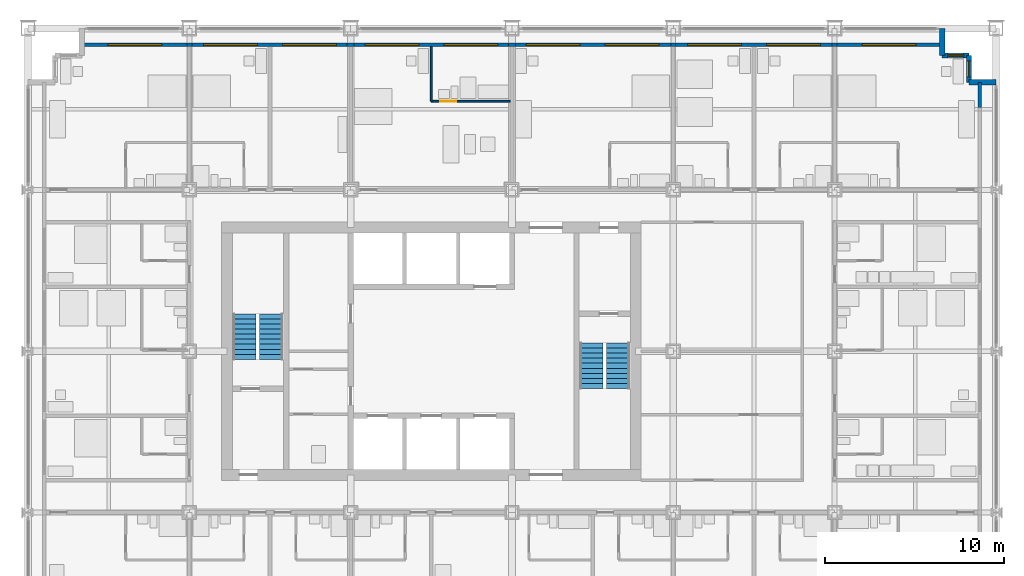
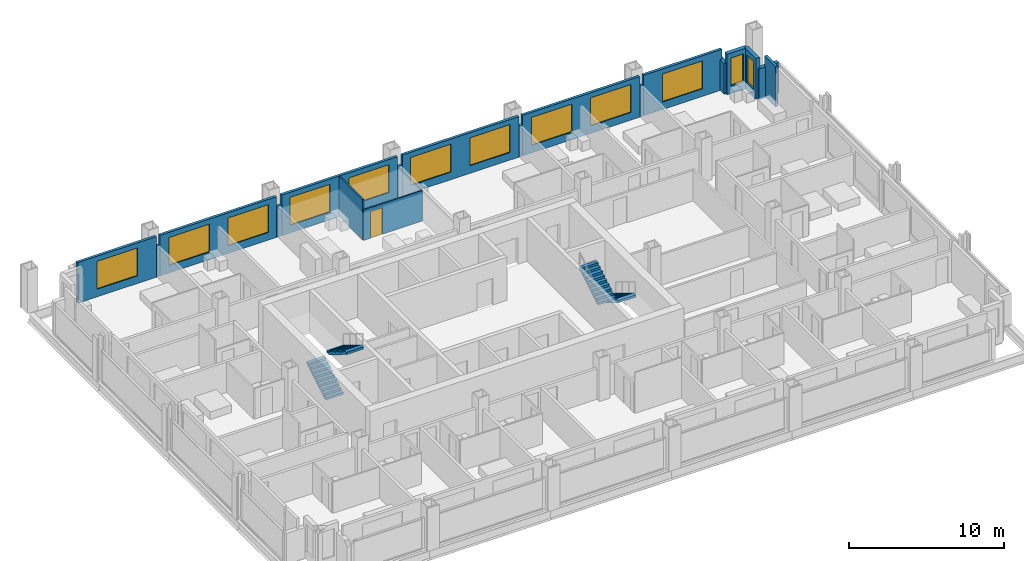
# One storey, part 15 of 18: 18 walls, 12 windows, 4 stair flights, 1 door, 13 openings, 2 elements without a shape of their own.
"""IFC4 building model written with IfcOpenShell, lengths in metres."""

import ifcopenshell
import ifcopenshell.guid

model = None  # the IFC model being written
_history = None  # IfcOwnerHistory: only IFC2X3 demands one
_inside = {}  # id of a spatial element -> (the spatial element, [elements in it])
_under = {}  # id of a project, library or spatial element -> (it, [spatial elements below it])
_declared = {}  # id of a project -> (the project, [libraries it declares])
_typed = {}  # id of a type object -> (the type object, [elements of that type])
_made_of = {}  # id of a material, layer set ... -> (it, [elements and type objects made of it])


def new_model(schema):
    """Start an empty IFC model of exactly this schema.

    Asked for "IFC4X3", IfcOpenShell would pick the latest addendum, in which some entities
    have other attributes; the version numbers below select the first issue.
    IFC2X3 requires an IfcOwnerHistory on every rooted entity: one is made here for all.
    """
    global model, _history
    if schema == "IFC4X3":
        model = ifcopenshell.file(schema_version=(4, 3, 0, 0))
    else:
        model = ifcopenshell.file(schema=schema)
    _inside.clear()
    _under.clear()
    _declared.clear()
    _typed.clear()
    _made_of.clear()
    _history = None
    if model.schema == "IFC2X3":
        org = make("IfcOrganization", Name="unknown")
        user = make(
            "IfcPersonAndOrganization",
            ThePerson=make("IfcPerson", FamilyName="unknown"),
            TheOrganization=org,
        )
        app = make(
            "IfcApplication",
            ApplicationDeveloper=org,
            Version="unknown",
            ApplicationFullName="unknown",
            ApplicationIdentifier="unknown",
        )
        _history = make(
            "IfcOwnerHistory",
            OwningUser=user,
            OwningApplication=app,
            ChangeAction="ADDED",
            CreationDate=0,
        )
    return model


def make(cls, **values):
    """One entity of the class cls with the attributes given. An attribute that is None is left unset."""
    return model.create_entity(
        cls, **{name: value for name, value in values.items() if value is not None}
    )


def rooted(cls, **values):
    """An entity with a GlobalId (a new one), such as an element, a storey or a relation."""
    return make(cls, GlobalId=ifcopenshell.guid.new(), OwnerHistory=_history, **values)


def si_unit(unit_type, name, prefix=None):
    """IfcSIUnit, for example si_unit("LENGTHUNIT", "METRE", prefix="MILLI")."""
    return make("IfcSIUnit", UnitType=unit_type, Prefix=prefix, Name=name)


def assignment(units):
    """IfcUnitAssignment: the units of a project."""
    return None if units is None else make("IfcUnitAssignment", Units=units)


def point(xyz):
    """IfcCartesianPoint."""
    return None if xyz is None else make("IfcCartesianPoint", Coordinates=xyz)


def direction(xyz):
    """IfcDirection."""
    return None if xyz is None else make("IfcDirection", DirectionRatios=xyz)


def frame(location, z_axis=None, x_axis=None):
    """IfcAxis2Placement3D, a coordinate frame: its origin and axes. An axis left out is left unset."""
    return make(
        "IfcAxis2Placement3D",
        Location=point(location),
        Axis=direction(z_axis),
        RefDirection=direction(x_axis),
    )


def frame_2d(location, x_axis=None):
    """IfcAxis2Placement2D, a coordinate frame in the plane: its origin and x axis."""
    return make(
        "IfcAxis2Placement2D", Location=point(location), RefDirection=direction(x_axis)
    )


def origin():
    """The frame at (0, 0, 0) with its axes left unset."""
    return frame((0.0, 0.0, 0.0))


def place(relative_to, where):
    """IfcLocalPlacement: puts the frame where relative to a parent placement (None: the world)."""
    return make(
        "IfcLocalPlacement", PlacementRelTo=relative_to, RelativePlacement=where
    )


def context(
    kind, dimensions, precision=None, world=None, true_north=None, identifier=None
):
    """IfcGeometricRepresentationContext, for example the 3D "Model" context."""
    return make(
        "IfcGeometricRepresentationContext",
        ContextIdentifier=identifier,
        ContextType=kind,
        CoordinateSpaceDimension=dimensions,
        Precision=precision,
        WorldCoordinateSystem=world,
        TrueNorth=true_north,
    )


def subcontext(parent, identifier, kind, view, scale=None):
    """IfcGeometricRepresentationSubContext, for example "Body" below "Model"."""
    return make(
        "IfcGeometricRepresentationSubContext",
        ContextIdentifier=identifier,
        ContextType=kind,
        ParentContext=parent,
        TargetScale=scale,
        TargetView=view,
    )


def project(units=None, contexts=None):
    """IfcProject with its units and contexts."""
    return rooted(
        "IfcProject",
        Name="project",
        RepresentationContexts=contexts,
        UnitsInContext=assignment(units),
    )


def spatial(cls, under=None, at=None, **own):
    """A site, building, storey or space (cls), placed at a placement, below another one or the project."""
    s = rooted(cls, ObjectPlacement=at, **own)
    if under is not None:
        _under.setdefault(under.id(), (under, []))[1].append(s)
    return s


def polyline(points):
    """IfcPolyline through the points."""
    return make("IfcPolyline", Points=[point(p) for p in points])


def profile(cls, at=None, kind="AREA", **sizes):
    """A parametric profile (cls). Its sizes go by their IFC names, for example OverallWidth=200.0."""
    return make(cls, ProfileType=kind, Position=at, **sizes)


def rectangle(**sizes):
    """IfcRectangleProfileDef."""
    return profile("IfcRectangleProfileDef", **sizes)


def outline(outer, holes=None, kind="AREA"):
    """IfcArbitraryClosedProfileDef: a profile drawn as a closed curve; with holes, ...WithVoids."""
    if holes is None:
        return make("IfcArbitraryClosedProfileDef", ProfileType=kind, OuterCurve=outer)
    return make(
        "IfcArbitraryProfileDefWithVoids",
        ProfileType=kind,
        OuterCurve=outer,
        InnerCurves=holes,
    )


def extrude(swept, where, along, depth):
    """IfcExtrudedAreaSolid: the profile swept, set in the frame where, extruded along a direction by depth."""
    return make(
        "IfcExtrudedAreaSolid",
        SweptArea=swept,
        Position=where,
        ExtrudedDirection=direction(along),
        Depth=depth,
    )


def shape(context_of_items, identifier, shape_type, items):
    """IfcShapeRepresentation: the items that make up one representation, for example the "Body"."""
    return make(
        "IfcShapeRepresentation",
        ContextOfItems=context_of_items,
        RepresentationIdentifier=identifier,
        RepresentationType=shape_type,
        Items=items,
    )


def material(Name=None, Category=None):
    """IfcMaterial."""
    return make("IfcMaterial", Name=Name, Category=Category)


def layer(
    of_material, thickness, ventilated=None, Name=None, Category=None, Priority=None
):
    """IfcMaterialLayer: one layer of a wall or slab, of a material (None: an air gap)."""
    return make(
        "IfcMaterialLayer",
        Material=of_material,
        LayerThickness=thickness,
        IsVentilated=ventilated,
        Name=Name,
        Category=Category,
        Priority=Priority,
    )


def layer_set(layers, Name=None):
    """IfcMaterialLayerSet."""
    return make("IfcMaterialLayerSet", MaterialLayers=layers, LayerSetName=Name)


def made_of(thing, what):
    """Note that an element or type object is made of a material, layer set ...; save() writes the relation."""
    if what is not None:
        _made_of.setdefault(what.id(), (what, []))[1].append(thing)
    return thing


def type_object(cls, material=None, **own):
    """A type object (cls), such as IfcWallType, which elements share."""
    return made_of(rooted(cls, **own), material)


def element(
    cls,
    number,
    at=None,
    inside=None,
    cuts=None,
    type_object=None,
    material=None,
    context=None,
    identifier="Body",
    shape_type=None,
    held_by="IfcProductDefinitionShape",
    body=None,
    shapes=None,
    **own,
):
    """One element of the class cls, such as IfcWall. Its Tag is "e" and its number.

    at: its placement. inside: the storey or other place that contains it. cuts: it is an
    opening in that element (IfcRelVoidsElement). A single representation is given by context,
    identifier, shape_type and body (its items); several are given by shapes. held_by: the class
    of the entity that holds the representations. save() writes the other relations.
    """
    e = rooted(cls, Tag="e%d" % number, ObjectPlacement=at, **own)
    if body is not None:
        shapes = [shape(context, identifier, shape_type, body)]
    if shapes is not None:
        e.Representation = make(held_by, Representations=shapes)
    if inside is not None:
        _inside.setdefault(inside.id(), (inside, []))[1].append(e)
    if cuts is not None:
        rooted(
            "IfcRelVoidsElement", RelatingBuildingElement=cuts, RelatedOpeningElement=e
        )
    if type_object is not None:
        _typed.setdefault(type_object.id(), (type_object, []))[1].append(e)
    return made_of(e, material)


def fill(opening, filler):
    """IfcRelFillsElement: the door or window that sits in an opening."""
    return rooted(
        "IfcRelFillsElement",
        RelatingOpeningElement=opening,
        RelatedBuildingElement=filler,
    )


def aggregate(whole, parts):
    """IfcRelAggregates: a whole, such as a stair, and the parts it consists of."""
    return rooted("IfcRelAggregates", RelatingObject=whole, RelatedObjects=parts)


def save(model, path):
    """Write the relations noted so far, then the file.

    IfcRelAggregates (storeys below a building ...), IfcRelContainedInSpatialStructure (elements
    in a storey), IfcRelDefinesByType, IfcRelAssociatesMaterial and IfcRelDeclares: one each for
    every whole, place, type object, material and project.
    """
    for whole, parts in _under.values():
        aggregate(whole, parts)
    for where, things in _inside.values():
        rooted(
            "IfcRelContainedInSpatialStructure",
            RelatedElements=things,
            RelatingStructure=where,
        )
    for kind, things in _typed.values():
        rooted("IfcRelDefinesByType", RelatedObjects=things, RelatingType=kind)
    for what, things in _made_of.values():
        rooted("IfcRelAssociatesMaterial", RelatedObjects=things, RelatingMaterial=what)
    for by, libraries in _declared.values():
        rooted("IfcRelDeclares", RelatingContext=by, RelatedDefinitions=libraries)
    model.write(path)


model = new_model("IFC4")

# Units and contexts
model_context = context("Model", 3, precision=1e-05, world=origin(), true_north=direction((0.0, 1.0)))
body_context = subcontext(model_context, "Body", "Model", "MODEL_VIEW")
ifc_project = project(units=[si_unit("LENGTHUNIT", "METRE"), si_unit("AREAUNIT", "SQUARE_METRE"), si_unit("VOLUMEUNIT", "CUBIC_METRE"), si_unit("PLANEANGLEUNIT", "RADIAN"), si_unit("MASSUNIT", "GRAM", prefix="KILO")], contexts=[model_context])

# Site, building, storey
site_placement = place(None, origin())
site = spatial("IfcSite", under=ifc_project, at=site_placement, CompositionType="ELEMENT")
building_placement = place(site_placement, origin())
building = spatial("IfcBuilding", under=site, at=building_placement, Name="Loomwork Tower", CompositionType="ELEMENT")
storey_placement = place(building_placement, frame((0.0, 0.0, 82.39990234375)))
storey = spatial("IfcBuildingStorey", under=building, at=storey_placement, Name="L21", CompositionType="ELEMENT", Elevation=82.39990234375)

# Wall, opening, door
ifc_material_1 = material(Name="Cement board on steel studs", Category="steel")
ifc_layer_1 = layer(ifc_material_1, 0.10009765625)
ifc_layer_set_1 = layer_set([ifc_layer_1], Name="En-suite partition 100")
wall_type_1 = type_object("IfcWallType", Name="En-suite partition 100", PredefinedType="PARTITIONING", material=ifc_layer_set_1)
wall_1_placement = place(storey_placement, frame((22.5, 31.949951171875, 0.0), z_axis=(0.0, 0.0, 1.0), x_axis=(1.0, 0.0, 0.0)))
wall_1 = element("IfcWall", 1, at=wall_1_placement, inside=storey, type_object=wall_type_1, Name="Spa bathroom wall L21 room 13", PredefinedType="PARTITIONING", context=body_context, shape_type="SweptSolid", body=[
    extrude(rectangle(XDim=4.39990234375, YDim=0.10009765625, at=frame_2d((2.199951171875, 0.0))), origin(), (0.0, 0.0, 1.0), 2.404052734375),
])
opening_1_placement = place(wall_1_placement, frame((0.5, 0.0, 0.0)))
opening_1 = element("IfcOpeningElement", 2, at=opening_1_placement, cuts=wall_1, Name="Opening D2", PredefinedType="OPENING", context=body_context, shape_type="SweptSolid", body=[
    extrude(rectangle(XDim=0.89990234375, YDim=2.10009765625, at=frame_2d((0.449951171875, 1.050048828125))), frame((0.0, 0.06005859375, 0.0), z_axis=(0.0, -1.0, 0.0), x_axis=(1.0, 0.0, 0.0)), (0.0, 0.0, 1.0), 0.1201171875),
])
ifc_material_2 = material(Name="Hollow metal door and frame")
door_type = type_object("IfcDoorType", Name="En-suite door 900", OperationType="SINGLE_SWING_LEFT", PredefinedType="DOOR", material=ifc_material_2)
door_placement = place(opening_1_placement, origin())
door = element("IfcDoor", 3, at=door_placement, inside=storey, type_object=door_type, Name="Spa bathroom door room 13", OperationType="SINGLE_SWING_LEFT", OverallHeight=2.10009765625, OverallWidth=0.89990234375, PredefinedType="DOOR", context=body_context, shape_type="SweptSolid", body=[
    extrude(rectangle(XDim=0.89990234375, YDim=2.10009765625, at=frame_2d((0.449951171875, 1.050048828125))), frame((0.0, 0.02490234375, 0.0), z_axis=(0.0, -1.0, 0.0), x_axis=(1.0, 0.0, 0.0)), (0.0, 0.0, 1.0), 0.050048828125),
])
fill(opening_1, door)

# Wall
wall_2_placement = place(storey_placement, frame((22.5, 31.949951171875, 0.0), z_axis=(0.0, 0.0, 1.0), x_axis=(0.0, 1.0, 0.0)))
element("IfcWall", 4, at=wall_2_placement, inside=storey, type_object=wall_type_1, Name="Spa bathroom side wall L21 room 13", PredefinedType="PARTITIONING", context=body_context, shape_type="SweptSolid", body=[
    extrude(rectangle(XDim=3.050048828125, YDim=0.10009765625, at=frame_2d((1.52490234375, 0.0))), origin(), (0.0, 0.0, 1.0), 3.2001953125),
])

# Wall, opening, window
ifc_material_3 = material(Name="Insulated steel stud wall with gypsum lining", Category="steel")
ifc_layer_2 = layer(ifc_material_3, 0.199951171875)
ifc_layer_set_2 = layer_set([ifc_layer_2], Name="Inner skin wall 200")
wall_type_2 = type_object("IfcWallType", Name="Inner skin wall 200", PredefinedType="SOLIDWALL", material=ifc_layer_set_2)
wall_3_placement = place(storey_placement, frame((3.0, 35.10009765625, 0.0), z_axis=(0.0, 0.0, 1.0), x_axis=(1.0, 0.0, 0.0)))
wall_3 = element("IfcWall", 5, at=wall_3_placement, inside=storey, type_object=wall_type_2, Name="Inner skin wall N", PredefinedType="SOLIDWALL", context=body_context, shape_type="SweptSolid", body=[
    extrude(rectangle(XDim=5.86474609375, YDim=0.199951171875, at=frame_2d((2.932373046875, 0.0))), origin(), (0.0, 0.0, 1.0), 3.2001953125),
])
opening_2_placement = place(wall_3_placement, frame((1.449951171875, 0.0, 0.60009765625)))
opening_2 = element("IfcOpeningElement", 6, at=opening_2_placement, cuts=wall_3, Name="Opening CH1", PredefinedType="OPENING", context=body_context, shape_type="SweptSolid", body=[
    extrude(rectangle(XDim=3.0, YDim=2.199951171875, at=frame_2d((1.5, 1.10009765625))), frame((0.0, 0.10986328125, 0.0), z_axis=(0.0, -1.0, 0.0), x_axis=(1.0, 0.0, 0.0)), (0.0, 0.0, 1.0), 0.219970703125),
])
ifc_material_4 = material(Name="Aluminium frame with clear insulated glass", Category="aluminium")
window_type_1 = type_object("IfcWindowType", Name="Chicago window 3000", PartitioningType="TRIPLE_PANEL_VERTICAL", PredefinedType="WINDOW", material=ifc_material_4)
window_1_placement = place(opening_2_placement, origin())
window_1 = element("IfcWindow", 7, at=window_1_placement, inside=storey, type_object=window_type_1, Name="Chicago window L21 bay 7", OverallHeight=2.199951171875, OverallWidth=3.0, PartitioningType="TRIPLE_PANEL_VERTICAL", PredefinedType="WINDOW", context=body_context, shape_type="SweptSolid", body=[
    extrude(rectangle(XDim=3.0, YDim=2.199951171875, at=frame_2d((1.5, 1.10009765625))), frame((0.0, 0.030029296875, 0.0), z_axis=(0.0, -1.0, 0.0), x_axis=(1.0, 0.0, 0.0)), (0.0, 0.0, 1.0), 0.06005859375),
])
fill(opening_2, window_1)

# Wall
wall_4_placement = place(storey_placement, frame((8.86474609375, 35.10009765625, 0.0), z_axis=(0.0, 0.0, 1.0), x_axis=(1.0, 0.0, 0.0)))
element("IfcWall", 8, at=wall_4_placement, inside=storey, type_object=wall_type_2, Name="Inner skin wall N bay 2", PredefinedType="SOLIDWALL", context=body_context, shape_type="SweptSolid", body=[
    extrude(rectangle(XDim=0.2705078125, YDim=0.199951171875, at=frame_2d((0.13525390625, 0.0))), origin(), (0.0, 0.0, 1.0), 2.43798828125),
])

# Wall, openings, windows
wall_5_placement = place(storey_placement, frame((9.13525390625, 35.10009765625, 0.0), z_axis=(0.0, 0.0, 1.0), x_axis=(1.0, 0.0, 0.0)))
wall_5 = element("IfcWall", 9, at=wall_5_placement, inside=storey, type_object=wall_type_2, Name="Inner skin wall N bay 3", PredefinedType="SOLIDWALL", context=body_context, shape_type="SweptSolid", body=[
    extrude(rectangle(XDim=8.6708984375, YDim=0.199951171875, at=frame_2d((4.33544921875, 0.0))), origin(), (0.0, 0.0, 1.0), 3.2001953125),
])
opening_3_placement = place(wall_5_placement, frame((0.664794921875, 0.0, 0.60009765625)))
opening_3 = element("IfcOpeningElement", 10, at=opening_3_placement, cuts=wall_5, Name="Opening CH1", PredefinedType="OPENING", context=body_context, shape_type="SweptSolid", body=[
    extrude(rectangle(XDim=3.0, YDim=2.199951171875, at=frame_2d((1.5, 1.10009765625))), frame((0.0, 0.10986328125, 0.0), z_axis=(0.0, -1.0, 0.0), x_axis=(1.0, 0.0, 0.0)), (0.0, 0.0, 1.0), 0.219970703125),
])
opening_4_placement = place(wall_5_placement, frame((5.064697265625, 0.0, 0.60009765625)))
opening_4 = element("IfcOpeningElement", 11, at=opening_4_placement, cuts=wall_5, Name="Opening CH1", PredefinedType="OPENING", context=body_context, shape_type="SweptSolid", body=[
    extrude(rectangle(XDim=3.0, YDim=2.199951171875, at=frame_2d((1.5, 1.10009765625))), frame((0.0, 0.10986328125, 0.0), z_axis=(0.0, -1.0, 0.0), x_axis=(1.0, 0.0, 0.0)), (0.0, 0.0, 1.0), 0.219970703125),
])
window_2_placement = place(opening_3_placement, origin())
window_2 = element("IfcWindow", 12, at=window_2_placement, inside=storey, type_object=window_type_1, Name="Chicago window L21 bay 8", OverallHeight=2.199951171875, OverallWidth=3.0, PartitioningType="TRIPLE_PANEL_VERTICAL", PredefinedType="WINDOW", context=body_context, shape_type="SweptSolid", body=[
    extrude(rectangle(XDim=3.0, YDim=2.199951171875, at=frame_2d((1.5, 1.10009765625))), frame((0.0, 0.030029296875, 0.0), z_axis=(0.0, -1.0, 0.0), x_axis=(1.0, 0.0, 0.0)), (0.0, 0.0, 1.0), 0.06005859375),
])
fill(opening_3, window_2)
window_3_placement = place(opening_4_placement, origin())
window_3 = element("IfcWindow", 13, at=window_3_placement, inside=storey, type_object=window_type_1, Name="Chicago window L21 bay 8", OverallHeight=2.199951171875, OverallWidth=3.0, PartitioningType="TRIPLE_PANEL_VERTICAL", PredefinedType="WINDOW", context=body_context, shape_type="SweptSolid", body=[
    extrude(rectangle(XDim=3.0, YDim=2.199951171875, at=frame_2d((1.5, 1.10009765625))), frame((0.0, 0.030029296875, 0.0), z_axis=(0.0, -1.0, 0.0), x_axis=(1.0, 0.0, 0.0)), (0.0, 0.0, 1.0), 0.06005859375),
])
fill(opening_4, window_3)

# Wall
wall_6_placement = place(storey_placement, frame((17.80615234375, 35.10009765625, 0.0), z_axis=(0.0, 0.0, 1.0), x_axis=(1.0, 0.0, 0.0)))
element("IfcWall", 14, at=wall_6_placement, inside=storey, type_object=wall_type_2, Name="Inner skin wall N bay 4", PredefinedType="SOLIDWALL", context=body_context, shape_type="SweptSolid", body=[
    extrude(rectangle(XDim=0.3876953125, YDim=0.199951171875, at=frame_2d((0.19384765625, 0.0))), origin(), (0.0, 0.0, 1.0), 2.404052734375),
])

# Wall, openings, windows
wall_7_placement = place(storey_placement, frame((18.19384765625, 35.10009765625, 0.0), z_axis=(0.0, 0.0, 1.0), x_axis=(1.0, 0.0, 0.0)))
wall_7 = element("IfcWall", 15, at=wall_7_placement, inside=storey, type_object=wall_type_2, Name="Inner skin wall N bay 5", PredefinedType="SOLIDWALL", context=body_context, shape_type="SweptSolid", body=[
    extrude(rectangle(XDim=8.6123046875, YDim=0.199951171875, at=frame_2d((4.30615234375, 0.0))), origin(), (0.0, 0.0, 1.0), 3.2001953125),
])
opening_5_placement = place(wall_7_placement, frame((0.606201171875, 0.0, 0.60009765625)))
opening_5 = element("IfcOpeningElement", 16, at=opening_5_placement, cuts=wall_7, Name="Opening CH1", PredefinedType="OPENING", context=body_context, shape_type="SweptSolid", body=[
    extrude(rectangle(XDim=3.0, YDim=2.199951171875, at=frame_2d((1.5, 1.10009765625))), frame((0.0, 0.10986328125, 0.0), z_axis=(0.0, -1.0, 0.0), x_axis=(1.0, 0.0, 0.0)), (0.0, 0.0, 1.0), 0.219970703125),
])
opening_6_placement = place(wall_7_placement, frame((5.006103515625, 0.0, 0.60009765625)))
opening_6 = element("IfcOpeningElement", 17, at=opening_6_placement, cuts=wall_7, Name="Opening CH1", PredefinedType="OPENING", context=body_context, shape_type="SweptSolid", body=[
    extrude(rectangle(XDim=3.0, YDim=2.199951171875, at=frame_2d((1.5, 1.10009765625))), frame((0.0, 0.10986328125, 0.0), z_axis=(0.0, -1.0, 0.0), x_axis=(1.0, 0.0, 0.0)), (0.0, 0.0, 1.0), 0.219970703125),
])
window_4_placement = place(opening_5_placement, origin())
window_4 = element("IfcWindow", 18, at=window_4_placement, inside=storey, type_object=window_type_1, Name="Chicago window L21 bay 9", OverallHeight=2.199951171875, OverallWidth=3.0, PartitioningType="TRIPLE_PANEL_VERTICAL", PredefinedType="WINDOW", context=body_context, shape_type="SweptSolid", body=[
    extrude(rectangle(XDim=3.0, YDim=2.199951171875, at=frame_2d((1.5, 1.10009765625))), frame((0.0, 0.030029296875, 0.0), z_axis=(0.0, -1.0, 0.0), x_axis=(1.0, 0.0, 0.0)), (0.0, 0.0, 1.0), 0.06005859375),
])
fill(opening_5, window_4)
window_5_placement = place(opening_6_placement, origin())
window_5 = element("IfcWindow", 19, at=window_5_placement, inside=storey, type_object=window_type_1, Name="Chicago window L21 bay 9", OverallHeight=2.199951171875, OverallWidth=3.0, PartitioningType="TRIPLE_PANEL_VERTICAL", PredefinedType="WINDOW", context=body_context, shape_type="SweptSolid", body=[
    extrude(rectangle(XDim=3.0, YDim=2.199951171875, at=frame_2d((1.5, 1.10009765625))), frame((0.0, 0.030029296875, 0.0), z_axis=(0.0, -1.0, 0.0), x_axis=(1.0, 0.0, 0.0)), (0.0, 0.0, 1.0), 0.06005859375),
])
fill(opening_6, window_5)

# Wall
wall_8_placement = place(storey_placement, frame((26.80615234375, 35.10009765625, 0.0), z_axis=(0.0, 0.0, 1.0), x_axis=(1.0, 0.0, 0.0)))
element("IfcWall", 20, at=wall_8_placement, inside=storey, type_object=wall_type_2, Name="Inner skin wall N bay 6", PredefinedType="SOLIDWALL", context=body_context, shape_type="SweptSolid", body=[
    extrude(rectangle(XDim=0.3876953125, YDim=0.199951171875, at=frame_2d((0.19384765625, 0.0))), origin(), (0.0, 0.0, 1.0), 2.404052734375),
])

# Wall, openings, windows
wall_9_placement = place(storey_placement, frame((27.19384765625, 35.10009765625, 0.0), z_axis=(0.0, 0.0, 1.0), x_axis=(1.0, 0.0, 0.0)))
wall_9 = element("IfcWall", 21, at=wall_9_placement, inside=storey, type_object=wall_type_2, Name="Inner skin wall N bay 7", PredefinedType="SOLIDWALL", context=body_context, shape_type="SweptSolid", body=[
    extrude(rectangle(XDim=8.670654296875, YDim=0.199951171875, at=frame_2d((4.33544921875, 0.0))), origin(), (0.0, 0.0, 1.0), 3.2001953125),
])
opening_7_placement = place(wall_9_placement, frame((0.606201171875, 0.0, 0.60009765625)))
opening_7 = element("IfcOpeningElement", 22, at=opening_7_placement, cuts=wall_9, Name="Opening CH1", PredefinedType="OPENING", context=body_context, shape_type="SweptSolid", body=[
    extrude(rectangle(XDim=3.0, YDim=2.199951171875, at=frame_2d((1.5, 1.10009765625))), frame((0.0, 0.10986328125, 0.0), z_axis=(0.0, -1.0, 0.0), x_axis=(1.0, 0.0, 0.0)), (0.0, 0.0, 1.0), 0.219970703125),
])
opening_8_placement = place(wall_9_placement, frame((5.006103515625, 0.0, 0.60009765625)))
opening_8 = element("IfcOpeningElement", 23, at=opening_8_placement, cuts=wall_9, Name="Opening CH1", PredefinedType="OPENING", context=body_context, shape_type="SweptSolid", body=[
    extrude(rectangle(XDim=3.0, YDim=2.199951171875, at=frame_2d((1.5, 1.10009765625))), frame((0.0, 0.10986328125, 0.0), z_axis=(0.0, -1.0, 0.0), x_axis=(1.0, 0.0, 0.0)), (0.0, 0.0, 1.0), 0.219970703125),
])
window_6_placement = place(opening_7_placement, origin())
window_6 = element("IfcWindow", 24, at=window_6_placement, inside=storey, type_object=window_type_1, Name="Chicago window L21 bay 10", OverallHeight=2.199951171875, OverallWidth=3.0, PartitioningType="TRIPLE_PANEL_VERTICAL", PredefinedType="WINDOW", context=body_context, shape_type="SweptSolid", body=[
    extrude(rectangle(XDim=3.0, YDim=2.199951171875, at=frame_2d((1.5, 1.10009765625))), frame((0.0, 0.030029296875, 0.0), z_axis=(0.0, -1.0, 0.0), x_axis=(1.0, 0.0, 0.0)), (0.0, 0.0, 1.0), 0.06005859375),
])
fill(opening_7, window_6)
window_7_placement = place(opening_8_placement, origin())
window_7 = element("IfcWindow", 25, at=window_7_placement, inside=storey, type_object=window_type_1, Name="Chicago window L21 bay 10", OverallHeight=2.199951171875, OverallWidth=3.0, PartitioningType="TRIPLE_PANEL_VERTICAL", PredefinedType="WINDOW", context=body_context, shape_type="SweptSolid", body=[
    extrude(rectangle(XDim=3.0, YDim=2.199951171875, at=frame_2d((1.5, 1.10009765625))), frame((0.0, 0.030029296875, 0.0), z_axis=(0.0, -1.0, 0.0), x_axis=(1.0, 0.0, 0.0)), (0.0, 0.0, 1.0), 0.06005859375),
])
fill(opening_8, window_7)

# Wall
wall_10_placement = place(storey_placement, frame((35.864501953125, 35.10009765625, 0.0), z_axis=(0.0, 0.0, 1.0), x_axis=(1.0, 0.0, 0.0)))
element("IfcWall", 26, at=wall_10_placement, inside=storey, type_object=wall_type_2, Name="Inner skin wall N bay 8", PredefinedType="SOLIDWALL", context=body_context, shape_type="SweptSolid", body=[
    extrude(rectangle(XDim=0.27099609375, YDim=0.199951171875, at=frame_2d((0.135498046875, 0.0))), origin(), (0.0, 0.0, 1.0), 2.43798828125),
])

# Wall, openings, windows
wall_11_placement = place(storey_placement, frame((36.135498046875, 35.10009765625, 0.0), z_axis=(0.0, 0.0, 1.0), x_axis=(1.0, 0.0, 0.0)))
wall_11 = element("IfcWall", 27, at=wall_11_placement, inside=storey, type_object=wall_type_2, Name="Inner skin wall N bay 9", PredefinedType="SOLIDWALL", context=body_context, shape_type="SweptSolid", body=[
    extrude(rectangle(XDim=8.72900390625, YDim=0.199951171875, at=frame_2d((4.364501953125, 0.0))), origin(), (0.0, 0.0, 1.0), 3.2001953125),
])
opening_9_placement = place(wall_11_placement, frame((0.66455078125, 0.0, 0.60009765625)))
opening_9 = element("IfcOpeningElement", 28, at=opening_9_placement, cuts=wall_11, Name="Opening CH1", PredefinedType="OPENING", context=body_context, shape_type="SweptSolid", body=[
    extrude(rectangle(XDim=3.0, YDim=2.199951171875, at=frame_2d((1.5, 1.10009765625))), frame((0.0, 0.10986328125, 0.0), z_axis=(0.0, -1.0, 0.0), x_axis=(1.0, 0.0, 0.0)), (0.0, 0.0, 1.0), 0.219970703125),
])
opening_10_placement = place(wall_11_placement, frame((5.064697265625, 0.0, 0.60009765625)))
opening_10 = element("IfcOpeningElement", 29, at=opening_10_placement, cuts=wall_11, Name="Opening CH1", PredefinedType="OPENING", context=body_context, shape_type="SweptSolid", body=[
    extrude(rectangle(XDim=3.0, YDim=2.199951171875, at=frame_2d((1.5, 1.10009765625))), frame((0.0, 0.10986328125, 0.0), z_axis=(0.0, -1.0, 0.0), x_axis=(1.0, 0.0, 0.0)), (0.0, 0.0, 1.0), 0.219970703125),
])
window_8_placement = place(opening_9_placement, origin())
window_8 = element("IfcWindow", 30, at=window_8_placement, inside=storey, type_object=window_type_1, Name="Chicago window L21 bay 11", OverallHeight=2.199951171875, OverallWidth=3.0, PartitioningType="TRIPLE_PANEL_VERTICAL", PredefinedType="WINDOW", context=body_context, shape_type="SweptSolid", body=[
    extrude(rectangle(XDim=3.0, YDim=2.199951171875, at=frame_2d((1.5, 1.10009765625))), frame((0.0, 0.030029296875, 0.0), z_axis=(0.0, -1.0, 0.0), x_axis=(1.0, 0.0, 0.0)), (0.0, 0.0, 1.0), 0.06005859375),
])
fill(opening_9, window_8)
window_9_placement = place(opening_10_placement, origin())
window_9 = element("IfcWindow", 31, at=window_9_placement, inside=storey, type_object=window_type_1, Name="Chicago window L21 bay 11", OverallHeight=2.199951171875, OverallWidth=3.0, PartitioningType="TRIPLE_PANEL_VERTICAL", PredefinedType="WINDOW", context=body_context, shape_type="SweptSolid", body=[
    extrude(rectangle(XDim=3.0, YDim=2.199951171875, at=frame_2d((1.5, 1.10009765625))), frame((0.0, 0.030029296875, 0.0), z_axis=(0.0, -1.0, 0.0), x_axis=(1.0, 0.0, 0.0)), (0.0, 0.0, 1.0), 0.06005859375),
])
fill(opening_10, window_9)

# Wall
wall_12_placement = place(storey_placement, frame((44.864501953125, 35.10009765625, 0.0), z_axis=(0.0, 0.0, 1.0), x_axis=(1.0, 0.0, 0.0)))
element("IfcWall", 32, at=wall_12_placement, inside=storey, type_object=wall_type_2, Name="Inner skin wall N bay 10", PredefinedType="SOLIDWALL", context=body_context, shape_type="SweptSolid", body=[
    extrude(rectangle(XDim=0.27099609375, YDim=0.199951171875, at=frame_2d((0.135498046875, 0.0))), origin(), (0.0, 0.0, 1.0), 2.43798828125),
])

# Wall, opening, window
wall_13_placement = place(storey_placement, frame((45.135498046875, 35.10009765625, 0.0), z_axis=(0.0, 0.0, 1.0), x_axis=(1.0, 0.0, 0.0)))
wall_13 = element("IfcWall", 33, at=wall_13_placement, inside=storey, type_object=wall_type_2, Name="Inner skin wall N bay 11", PredefinedType="SOLIDWALL", context=body_context, shape_type="SweptSolid", body=[
    extrude(rectangle(XDim=5.864501953125, YDim=0.199951171875, at=frame_2d((2.93212890625, 0.0))), origin(), (0.0, 0.0, 1.0), 3.2001953125),
])
opening_11_placement = place(wall_13_placement, frame((1.41455078125, 0.0, 0.60009765625)))
opening_11 = element("IfcOpeningElement", 34, at=opening_11_placement, cuts=wall_13, Name="Opening CH1", PredefinedType="OPENING", context=body_context, shape_type="SweptSolid", body=[
    extrude(rectangle(XDim=3.0, YDim=2.199951171875, at=frame_2d((1.5, 1.10009765625))), frame((0.0, 0.10986328125, 0.0), z_axis=(0.0, -1.0, 0.0), x_axis=(1.0, 0.0, 0.0)), (0.0, 0.0, 1.0), 0.219970703125),
])
window_10_placement = place(opening_11_placement, origin())
window_10 = element("IfcWindow", 35, at=window_10_placement, inside=storey, type_object=window_type_1, Name="Chicago window L21 bay 12", OverallHeight=2.199951171875, OverallWidth=3.0, PartitioningType="TRIPLE_PANEL_VERTICAL", PredefinedType="WINDOW", context=body_context, shape_type="SweptSolid", body=[
    extrude(rectangle(XDim=3.0, YDim=2.199951171875, at=frame_2d((1.5, 1.10009765625))), frame((0.0, 0.030029296875, 0.0), z_axis=(0.0, -1.0, 0.0), x_axis=(1.0, 0.0, 0.0)), (0.0, 0.0, 1.0), 0.06005859375),
])
fill(opening_11, window_10)

# Walls
wall_14_placement = place(storey_placement, frame((53.10009765625, 31.607421875, 0.0), z_axis=(0.0, 0.0, 1.0), x_axis=(0.0, 1.0, 0.0)))
element("IfcWall", 36, at=wall_14_placement, inside=storey, type_object=wall_type_2, Name="Inner skin wall E bay 11", PredefinedType="SOLIDWALL", context=body_context, shape_type="SweptSolid", body=[
    extrude(rectangle(XDim=1.392578125, YDim=0.199951171875, at=frame_2d((0.6962890625, 0.0))), origin(), (0.0, 0.0, 1.0), 3.2001953125),
])
ifc_material_5 = material(Name="Limestone on concrete masonry", Category="masonry")
ifc_layer_3 = layer(ifc_material_5, 0.300048828125)
ifc_layer_set_3 = layer_set([ifc_layer_3], Name="Limestone corner wall 300")
wall_type_3 = type_object("IfcWallType", Name="Limestone corner wall 300", PredefinedType="SOLIDWALL", material=ifc_layer_set_3)
wall_15_placement = place(storey_placement, frame((54.0, 33.0, 0.0), z_axis=(0.0, 0.0, 1.0), x_axis=(-1.0, 0.0, 0.0)))
element("IfcWall", 37, at=wall_15_placement, inside=storey, type_object=wall_type_3, Name="Stone corner wall NE 1", PredefinedType="SOLIDWALL", context=body_context, shape_type="SweptSolid", body=[
    extrude(rectangle(XDim=1.5, YDim=0.300048828125, at=frame_2d((0.75, 0.0))), origin(), (0.0, 0.0, 1.0), 2.420166015625),
])

# Wall, opening, window
wall_16_placement = place(storey_placement, frame((52.5, 33.0, 0.0), z_axis=(0.0, 0.0, 1.0), x_axis=(0.0, 1.0, 0.0)))
wall_16 = element("IfcWall", 38, at=wall_16_placement, inside=storey, type_object=wall_type_3, Name="Stone corner wall NE 2", PredefinedType="SOLIDWALL", context=body_context, shape_type="SweptSolid", body=[
    extrude(rectangle(XDim=1.5, YDim=0.300048828125, at=frame_2d((0.75, 0.0))), origin(), (0.0, 0.0, 1.0), 3.2001953125),
])
opening_12_placement = place(wall_16_placement, frame((0.300048828125, 0.0, 0.60009765625)))
opening_12 = element("IfcOpeningElement", 39, at=opening_12_placement, cuts=wall_16, Name="Opening CH2", PredefinedType="OPENING", context=body_context, shape_type="SweptSolid", body=[
    extrude(rectangle(XDim=0.89990234375, YDim=2.199951171875, at=frame_2d((0.449951171875, 1.10009765625))), frame((0.0, 0.159912109375, 0.0), z_axis=(0.0, -1.0, 0.0), x_axis=(1.0, 0.0, 0.0)), (0.0, 0.0, 1.0), 0.320068359375),
])
ifc_material_6 = material(Name="Aluminium frame with clear insulated glass", Category="aluminium")
window_type_2 = type_object("IfcWindowType", Name="Corner window 900", PartitioningType="SINGLE_PANEL", PredefinedType="WINDOW", material=ifc_material_6)
window_11_placement = place(opening_12_placement, origin())
window_11 = element("IfcWindow", 40, at=window_11_placement, inside=storey, type_object=window_type_2, Name="Corner window NE", OverallHeight=2.199951171875, OverallWidth=0.89990234375, PartitioningType="SINGLE_PANEL", PredefinedType="WINDOW", context=body_context, shape_type="SweptSolid", body=[
    extrude(rectangle(XDim=0.89990234375, YDim=2.199951171875, at=frame_2d((0.449951171875, 1.10009765625))), frame((0.0, 0.030029296875, 0.0), z_axis=(0.0, -1.0, 0.0), x_axis=(1.0, 0.0, 0.0)), (0.0, 0.0, 1.0), 0.06005859375),
])
fill(opening_12, window_11)

wall_17_placement = place(storey_placement, frame((52.5, 34.5, 0.0), z_axis=(0.0, 0.0, 1.0), x_axis=(-1.0, 0.0, 0.0)))
wall_17 = element("IfcWall", 41, at=wall_17_placement, inside=storey, type_object=wall_type_3, Name="Stone corner wall NE 3", PredefinedType="SOLIDWALL", context=body_context, shape_type="SweptSolid", body=[
    extrude(rectangle(XDim=1.5, YDim=0.300048828125, at=frame_2d((0.75, 0.0))), origin(), (0.0, 0.0, 1.0), 3.2001953125),
])
opening_13_placement = place(wall_17_placement, frame((0.300048828125, 0.0, 0.60009765625)))
opening_13 = element("IfcOpeningElement", 42, at=opening_13_placement, cuts=wall_17, Name="Opening CH2", PredefinedType="OPENING", context=body_context, shape_type="SweptSolid", body=[
    extrude(rectangle(XDim=0.89990234375, YDim=2.199951171875, at=frame_2d((0.449951171875, 1.10009765625))), frame((0.0, 0.159912109375, 0.0), z_axis=(0.0, -1.0, 0.0), x_axis=(1.0, 0.0, 0.0)), (0.0, 0.0, 1.0), 0.320068359375),
])
window_12_placement = place(opening_13_placement, origin())
window_12 = element("IfcWindow", 43, at=window_12_placement, inside=storey, type_object=window_type_2, Name="Corner window NE", OverallHeight=2.199951171875, OverallWidth=0.89990234375, PartitioningType="SINGLE_PANEL", PredefinedType="WINDOW", context=body_context, shape_type="SweptSolid", body=[
    extrude(rectangle(XDim=0.89990234375, YDim=2.199951171875, at=frame_2d((0.449951171875, 1.10009765625))), frame((0.0, 0.030029296875, 0.0), z_axis=(0.0, -1.0, 0.0), x_axis=(1.0, 0.0, 0.0)), (0.0, 0.0, 1.0), 0.06005859375),
])
fill(opening_13, window_12)

# Wall
wall_18_placement = place(storey_placement, frame((51.0, 34.5, 0.0), z_axis=(0.0, 0.0, 1.0), x_axis=(0.0, 1.0, 0.0)))
element("IfcWall", 44, at=wall_18_placement, inside=storey, type_object=wall_type_3, Name="Stone corner wall NE 4", PredefinedType="SOLIDWALL", context=body_context, shape_type="SweptSolid", body=[
    extrude(rectangle(XDim=1.5, YDim=0.300048828125, at=frame_2d((0.75, 0.0))), origin(), (0.0, 0.0, 1.0), 2.420166015625),
])

# Stair, stair flights
ifc_material_7 = material(Name="Concrete 5000 psi (34 MPa) precast stair", Category="concrete")
stair_type_1 = type_object("IfcStairType", Name="Stair ST-A 20 risers 2850 wide", PredefinedType="HALF_TURN_STAIR", material=ifc_material_7)
stair_1_placement = place(storey_placement, origin())
stair_1 = element("IfcStair", 45, at=stair_1_placement, inside=storey, type_object=stair_type_1, Name="Stair A L21", PredefinedType="HALF_TURN_STAIR")
ifc_material_8 = material(Name="Concrete 5000 psi (34 MPa) precast stair", Category="concrete")
stair_flight_type_1 = type_object("IfcStairFlightType", Name="Stair flight ST-A 10 risers 1300 wide", PredefinedType="STRAIGHT", material=ifc_material_8)
stair_flight_1_placement = place(storey_placement, frame((12.074951171875, 17.550048828125, 0.0), z_axis=(0.0, 0.0, 1.0), x_axis=(0.0, 1.0, 0.0)))
stair_flight_1 = element("IfcStairFlight", 46, at=stair_flight_1_placement, type_object=stair_flight_type_1, Name="ST-A flight 1", NumberOfRisers=10, NumberOfTreads=9, PredefinedType="STRAIGHT", RiserHeight=0.17, TreadLength=0.28, context=body_context, shape_type="SweptSolid", body=[
    extrude(outline(polyline([(0.0, 0.0), (0.0, 0.169921875), (0.280029296875, 0.169921875), (0.280029296875, 0.340087890625), (0.56005859375, 0.340087890625), (0.56005859375, 0.510009765625), (0.840087890625, 0.510009765625), (0.840087890625, 0.679931640625), (1.1201171875, 0.679931640625), (1.1201171875, 0.85009765625), (1.39990234375, 0.85009765625), (1.39990234375, 1.02001953125), (1.679931640625, 1.02001953125), (1.679931640625, 1.18994140625), (1.9599609375, 1.18994140625), (1.9599609375, 1.360107421875), (2.239990234375, 1.360107421875), (2.239990234375, 1.530029296875), (2.52001953125, 1.530029296875), (2.52001953125, 1.699951171875), (2.52001953125, 1.354736328125), (0.288818359375, 0.0), (0.0, 0.0)])), frame((0.0, 0.64990234375, 0.0), z_axis=(0.0, -1.0, 0.0), x_axis=(1.0, 0.0, 0.0)), (0.0, 0.0, 1.0), 1.300048828125),
])
stair_flight_2_placement = place(storey_placement, frame((13.574951171875, 20.070068359375, 1.7001953125), z_axis=(0.0, 0.0, 1.0), x_axis=(0.0, -1.0, 0.0)))
stair_flight_2 = element("IfcStairFlight", 47, at=stair_flight_2_placement, type_object=stair_flight_type_1, Name="ST-A flight 2", NumberOfRisers=10, NumberOfTreads=9, PredefinedType="STRAIGHT", RiserHeight=0.17, TreadLength=0.28, context=body_context, shape_type="SweptSolid", body=[
    extrude(outline(polyline([(0.0, 0.0), (0.0, 0.169921875), (0.280029296875, 0.169921875), (0.280029296875, 0.340087890625), (0.56005859375, 0.340087890625), (0.56005859375, 0.510009765625), (0.840087890625, 0.510009765625), (0.840087890625, 0.679931640625), (1.1201171875, 0.679931640625), (1.1201171875, 0.85009765625), (1.39990234375, 0.85009765625), (1.39990234375, 1.02001953125), (1.679931640625, 1.02001953125), (1.679931640625, 1.18994140625), (1.9599609375, 1.18994140625), (1.9599609375, 1.360107421875), (2.239990234375, 1.360107421875), (2.239990234375, 1.530029296875), (2.52001953125, 1.530029296875), (2.52001953125, 1.699951171875), (2.52001953125, 1.354736328125), (0.288818359375, 0.0), (0.0, 0.0)])), frame((0.0, 0.64990234375, 0.0), z_axis=(0.0, -1.0, 0.0), x_axis=(1.0, 0.0, 0.0)), (0.0, 0.0, 1.0), 1.300048828125),
])
aggregate(stair_1, [stair_flight_1, stair_flight_2])

ifc_material_9 = material(Name="Concrete 5000 psi (34 MPa) precast stair", Category="concrete")
stair_type_2 = type_object("IfcStairType", Name="Stair ST-B 20 risers 2850 wide", PredefinedType="HALF_TURN_STAIR", material=ifc_material_9)
stair_2_placement = place(storey_placement, origin())
stair_2 = element("IfcStair", 48, at=stair_2_placement, inside=storey, type_object=stair_type_2, Name="Stair B L21", PredefinedType="HALF_TURN_STAIR")
ifc_material_10 = material(Name="Concrete 5000 psi (34 MPa) precast stair", Category="concrete")
stair_flight_type_2 = type_object("IfcStairFlightType", Name="Stair flight ST-B 10 risers 1300 wide", PredefinedType="STRAIGHT", material=ifc_material_10)
stair_flight_3_placement = place(storey_placement, frame((32.925048828125, 18.449951171875, 0.0), z_axis=(0.0, 0.0, 1.0), x_axis=(0.0, -1.0, 0.0)))
stair_flight_3 = element("IfcStairFlight", 49, at=stair_flight_3_placement, type_object=stair_flight_type_2, Name="ST-B flight 1", NumberOfRisers=10, NumberOfTreads=9, PredefinedType="STRAIGHT", RiserHeight=0.17, TreadLength=0.28, context=body_context, shape_type="SweptSolid", body=[
    extrude(outline(polyline([(0.0, 0.0), (0.0, 0.169921875), (0.280029296875, 0.169921875), (0.280029296875, 0.340087890625), (0.56005859375, 0.340087890625), (0.56005859375, 0.510009765625), (0.840087890625, 0.510009765625), (0.840087890625, 0.679931640625), (1.1201171875, 0.679931640625), (1.1201171875, 0.85009765625), (1.39990234375, 0.85009765625), (1.39990234375, 1.02001953125), (1.679931640625, 1.02001953125), (1.679931640625, 1.18994140625), (1.9599609375, 1.18994140625), (1.9599609375, 1.360107421875), (2.239990234375, 1.360107421875), (2.239990234375, 1.530029296875), (2.52001953125, 1.530029296875), (2.52001953125, 1.699951171875), (2.52001953125, 1.354736328125), (0.288818359375, 0.0), (0.0, 0.0)])), frame((0.0, 0.64990234375, 0.0), z_axis=(0.0, -1.0, 0.0), x_axis=(1.0, 0.0, 0.0)), (0.0, 0.0, 1.0), 1.300048828125),
])
stair_flight_4_placement = place(storey_placement, frame((31.425048828125, 15.929931640625, 1.7001953125), z_axis=(0.0, 0.0, 1.0), x_axis=(0.0, 1.0, 0.0)))
stair_flight_4 = element("IfcStairFlight", 50, at=stair_flight_4_placement, type_object=stair_flight_type_2, Name="ST-B flight 2", NumberOfRisers=10, NumberOfTreads=9, PredefinedType="STRAIGHT", RiserHeight=0.17, TreadLength=0.28, context=body_context, shape_type="SweptSolid", body=[
    extrude(outline(polyline([(0.0, 0.0), (0.0, 0.169921875), (0.280029296875, 0.169921875), (0.280029296875, 0.340087890625), (0.56005859375, 0.340087890625), (0.56005859375, 0.510009765625), (0.840087890625, 0.510009765625), (0.840087890625, 0.679931640625), (1.1201171875, 0.679931640625), (1.1201171875, 0.85009765625), (1.39990234375, 0.85009765625), (1.39990234375, 1.02001953125), (1.679931640625, 1.02001953125), (1.679931640625, 1.18994140625), (1.9599609375, 1.18994140625), (1.9599609375, 1.360107421875), (2.239990234375, 1.360107421875), (2.239990234375, 1.530029296875), (2.52001953125, 1.530029296875), (2.52001953125, 1.699951171875), (2.52001953125, 1.354736328125), (0.288818359375, 0.0), (0.0, 0.0)])), frame((0.0, 0.64990234375, 0.0), z_axis=(0.0, -1.0, 0.0), x_axis=(1.0, 0.0, 0.0)), (0.0, 0.0, 1.0), 1.300048828125),
])
aggregate(stair_2, [stair_flight_3, stair_flight_4])

save(model, "model.ifc")
